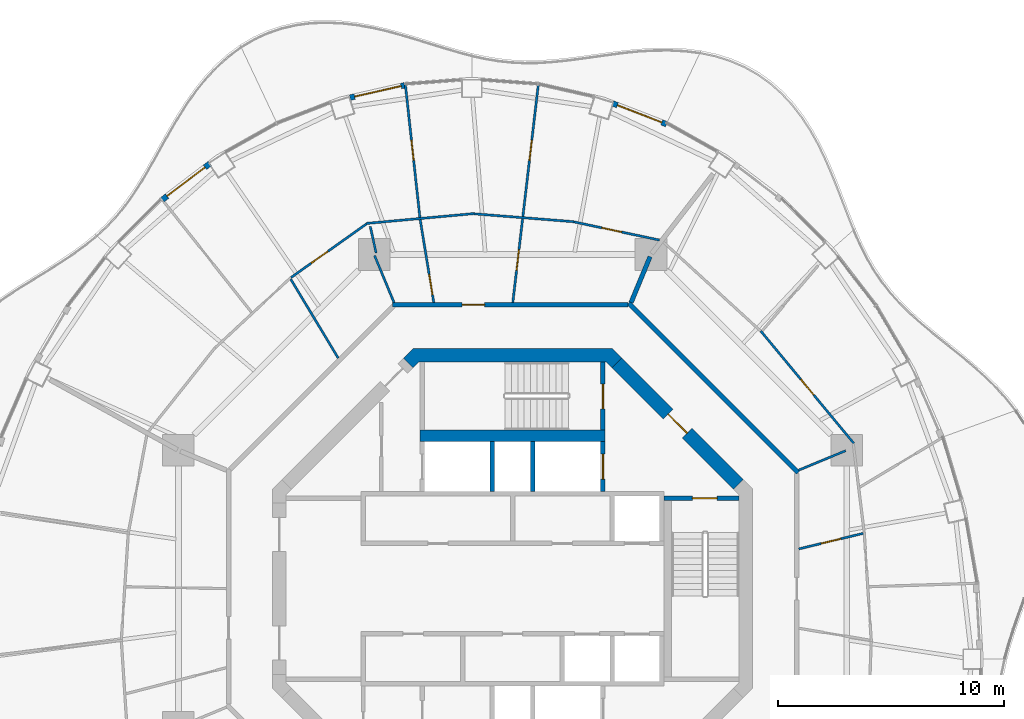
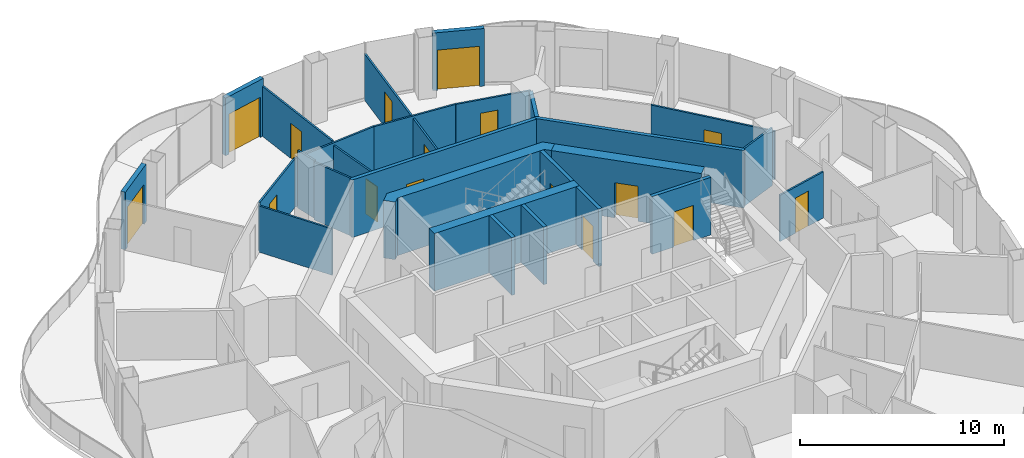
# One storey, part 13 of 17: 27 walls, 16 doors, 16 openings.
"""IFC4 building model written with IfcOpenShell, lengths in metres."""

import ifcopenshell
import ifcopenshell.guid

model = None  # the IFC model being written
_history = None  # IfcOwnerHistory: only IFC2X3 demands one
_inside = {}  # id of a spatial element -> (the spatial element, [elements in it])
_under = {}  # id of a project, library or spatial element -> (it, [spatial elements below it])
_declared = {}  # id of a project -> (the project, [libraries it declares])
_typed = {}  # id of a type object -> (the type object, [elements of that type])
_made_of = {}  # id of a material, layer set ... -> (it, [elements and type objects made of it])


def new_model(schema):
    """Start an empty IFC model of exactly this schema.

    Asked for "IFC4X3", IfcOpenShell would pick the latest addendum, in which some entities
    have other attributes; the version numbers below select the first issue.
    IFC2X3 requires an IfcOwnerHistory on every rooted entity: one is made here for all.
    """
    global model, _history
    if schema == "IFC4X3":
        model = ifcopenshell.file(schema_version=(4, 3, 0, 0))
    else:
        model = ifcopenshell.file(schema=schema)
    _inside.clear()
    _under.clear()
    _declared.clear()
    _typed.clear()
    _made_of.clear()
    _history = None
    if model.schema == "IFC2X3":
        org = make("IfcOrganization", Name="unknown")
        user = make(
            "IfcPersonAndOrganization",
            ThePerson=make("IfcPerson", FamilyName="unknown"),
            TheOrganization=org,
        )
        app = make(
            "IfcApplication",
            ApplicationDeveloper=org,
            Version="unknown",
            ApplicationFullName="unknown",
            ApplicationIdentifier="unknown",
        )
        _history = make(
            "IfcOwnerHistory",
            OwningUser=user,
            OwningApplication=app,
            ChangeAction="ADDED",
            CreationDate=0,
        )
    return model


def make(cls, **values):
    """One entity of the class cls with the attributes given. An attribute that is None is left unset."""
    return model.create_entity(
        cls, **{name: value for name, value in values.items() if value is not None}
    )


def rooted(cls, **values):
    """An entity with a GlobalId (a new one), such as an element, a storey or a relation."""
    return make(cls, GlobalId=ifcopenshell.guid.new(), OwnerHistory=_history, **values)


def si_unit(unit_type, name, prefix=None):
    """IfcSIUnit, for example si_unit("LENGTHUNIT", "METRE", prefix="MILLI")."""
    return make("IfcSIUnit", UnitType=unit_type, Prefix=prefix, Name=name)


def assignment(units):
    """IfcUnitAssignment: the units of a project."""
    return None if units is None else make("IfcUnitAssignment", Units=units)


def point(xyz):
    """IfcCartesianPoint."""
    return None if xyz is None else make("IfcCartesianPoint", Coordinates=xyz)


def direction(xyz):
    """IfcDirection."""
    return None if xyz is None else make("IfcDirection", DirectionRatios=xyz)


def frame(location, z_axis=None, x_axis=None):
    """IfcAxis2Placement3D, a coordinate frame: its origin and axes. An axis left out is left unset."""
    return make(
        "IfcAxis2Placement3D",
        Location=point(location),
        Axis=direction(z_axis),
        RefDirection=direction(x_axis),
    )


def frame_2d(location, x_axis=None):
    """IfcAxis2Placement2D, a coordinate frame in the plane: its origin and x axis."""
    return make(
        "IfcAxis2Placement2D", Location=point(location), RefDirection=direction(x_axis)
    )


def origin():
    """The frame at (0, 0, 0) with its axes left unset."""
    return frame((0.0, 0.0, 0.0))


def place(relative_to, where):
    """IfcLocalPlacement: puts the frame where relative to a parent placement (None: the world)."""
    return make(
        "IfcLocalPlacement", PlacementRelTo=relative_to, RelativePlacement=where
    )


def context(
    kind, dimensions, precision=None, world=None, true_north=None, identifier=None
):
    """IfcGeometricRepresentationContext, for example the 3D "Model" context."""
    return make(
        "IfcGeometricRepresentationContext",
        ContextIdentifier=identifier,
        ContextType=kind,
        CoordinateSpaceDimension=dimensions,
        Precision=precision,
        WorldCoordinateSystem=world,
        TrueNorth=true_north,
    )


def subcontext(parent, identifier, kind, view, scale=None):
    """IfcGeometricRepresentationSubContext, for example "Body" below "Model"."""
    return make(
        "IfcGeometricRepresentationSubContext",
        ContextIdentifier=identifier,
        ContextType=kind,
        ParentContext=parent,
        TargetScale=scale,
        TargetView=view,
    )


def project(units=None, contexts=None):
    """IfcProject with its units and contexts."""
    return rooted(
        "IfcProject",
        Name="project",
        RepresentationContexts=contexts,
        UnitsInContext=assignment(units),
    )


def spatial(cls, under=None, at=None, **own):
    """A site, building, storey or space (cls), placed at a placement, below another one or the project."""
    s = rooted(cls, ObjectPlacement=at, **own)
    if under is not None:
        _under.setdefault(under.id(), (under, []))[1].append(s)
    return s


def polyline(points):
    """IfcPolyline through the points."""
    return make("IfcPolyline", Points=[point(p) for p in points])


def profile(cls, at=None, kind="AREA", **sizes):
    """A parametric profile (cls). Its sizes go by their IFC names, for example OverallWidth=200.0."""
    return make(cls, ProfileType=kind, Position=at, **sizes)


def rectangle(**sizes):
    """IfcRectangleProfileDef."""
    return profile("IfcRectangleProfileDef", **sizes)


def outline(outer, holes=None, kind="AREA"):
    """IfcArbitraryClosedProfileDef: a profile drawn as a closed curve; with holes, ...WithVoids."""
    if holes is None:
        return make("IfcArbitraryClosedProfileDef", ProfileType=kind, OuterCurve=outer)
    return make(
        "IfcArbitraryProfileDefWithVoids",
        ProfileType=kind,
        OuterCurve=outer,
        InnerCurves=holes,
    )


def extrude(swept, where, along, depth):
    """IfcExtrudedAreaSolid: the profile swept, set in the frame where, extruded along a direction by depth."""
    return make(
        "IfcExtrudedAreaSolid",
        SweptArea=swept,
        Position=where,
        ExtrudedDirection=direction(along),
        Depth=depth,
    )


def shape(context_of_items, identifier, shape_type, items):
    """IfcShapeRepresentation: the items that make up one representation, for example the "Body"."""
    return make(
        "IfcShapeRepresentation",
        ContextOfItems=context_of_items,
        RepresentationIdentifier=identifier,
        RepresentationType=shape_type,
        Items=items,
    )


def material(Name=None, Category=None):
    """IfcMaterial."""
    return make("IfcMaterial", Name=Name, Category=Category)


def layer(
    of_material, thickness, ventilated=None, Name=None, Category=None, Priority=None
):
    """IfcMaterialLayer: one layer of a wall or slab, of a material (None: an air gap)."""
    return make(
        "IfcMaterialLayer",
        Material=of_material,
        LayerThickness=thickness,
        IsVentilated=ventilated,
        Name=Name,
        Category=Category,
        Priority=Priority,
    )


def layer_set(layers, Name=None):
    """IfcMaterialLayerSet."""
    return make("IfcMaterialLayerSet", MaterialLayers=layers, LayerSetName=Name)


def made_of(thing, what):
    """Note that an element or type object is made of a material, layer set ...; save() writes the relation."""
    if what is not None:
        _made_of.setdefault(what.id(), (what, []))[1].append(thing)
    return thing


def type_object(cls, material=None, **own):
    """A type object (cls), such as IfcWallType, which elements share."""
    return made_of(rooted(cls, **own), material)


def element(
    cls,
    number,
    at=None,
    inside=None,
    cuts=None,
    type_object=None,
    material=None,
    context=None,
    identifier="Body",
    shape_type=None,
    held_by="IfcProductDefinitionShape",
    body=None,
    shapes=None,
    **own,
):
    """One element of the class cls, such as IfcWall. Its Tag is "e" and its number.

    at: its placement. inside: the storey or other place that contains it. cuts: it is an
    opening in that element (IfcRelVoidsElement). A single representation is given by context,
    identifier, shape_type and body (its items); several are given by shapes. held_by: the class
    of the entity that holds the representations. save() writes the other relations.
    """
    e = rooted(cls, Tag="e%d" % number, ObjectPlacement=at, **own)
    if body is not None:
        shapes = [shape(context, identifier, shape_type, body)]
    if shapes is not None:
        e.Representation = make(held_by, Representations=shapes)
    if inside is not None:
        _inside.setdefault(inside.id(), (inside, []))[1].append(e)
    if cuts is not None:
        rooted(
            "IfcRelVoidsElement", RelatingBuildingElement=cuts, RelatedOpeningElement=e
        )
    if type_object is not None:
        _typed.setdefault(type_object.id(), (type_object, []))[1].append(e)
    return made_of(e, material)


def fill(opening, filler):
    """IfcRelFillsElement: the door or window that sits in an opening."""
    return rooted(
        "IfcRelFillsElement",
        RelatingOpeningElement=opening,
        RelatedBuildingElement=filler,
    )


def aggregate(whole, parts):
    """IfcRelAggregates: a whole, such as a stair, and the parts it consists of."""
    return rooted("IfcRelAggregates", RelatingObject=whole, RelatedObjects=parts)


def save(model, path):
    """Write the relations noted so far, then the file.

    IfcRelAggregates (storeys below a building ...), IfcRelContainedInSpatialStructure (elements
    in a storey), IfcRelDefinesByType, IfcRelAssociatesMaterial and IfcRelDeclares: one each for
    every whole, place, type object, material and project.
    """
    for whole, parts in _under.values():
        aggregate(whole, parts)
    for where, things in _inside.values():
        rooted(
            "IfcRelContainedInSpatialStructure",
            RelatedElements=things,
            RelatingStructure=where,
        )
    for kind, things in _typed.values():
        rooted("IfcRelDefinesByType", RelatedObjects=things, RelatingType=kind)
    for what, things in _made_of.values():
        rooted("IfcRelAssociatesMaterial", RelatedObjects=things, RelatingMaterial=what)
    for by, libraries in _declared.values():
        rooted("IfcRelDeclares", RelatingContext=by, RelatedDefinitions=libraries)
    model.write(path)


model = new_model("IFC4")

# Units and contexts
model_context = context("Model", 3, precision=1e-05, world=origin(), true_north=direction((0.0, 1.0)))
body_context = subcontext(model_context, "Body", "Model", "MODEL_VIEW")
ifc_project = project(units=[si_unit("LENGTHUNIT", "METRE"), si_unit("AREAUNIT", "SQUARE_METRE"), si_unit("VOLUMEUNIT", "CUBIC_METRE"), si_unit("PLANEANGLEUNIT", "RADIAN"), si_unit("MASSUNIT", "GRAM", prefix="KILO")], contexts=[model_context])

# Site, building, storey
site_placement = place(None, origin())
site = spatial("IfcSite", under=ifc_project, at=site_placement, CompositionType="ELEMENT")
building_placement = place(site_placement, origin())
building = spatial("IfcBuilding", under=site, at=building_placement, Name="Nagisa Residences", CompositionType="ELEMENT")
storey_placement = place(building_placement, frame((0.0, 0.0, 262.199951171875)))
storey = spatial("IfcBuildingStorey", under=building, at=storey_placement, Name="L66", CompositionType="ELEMENT", Elevation=262.199951171875)

# Walls
ifc_material_1 = material(Name="Gypsum board on steel studs", Category="steel")
ifc_layer_1 = layer(ifc_material_1, 0.199951171875)
ifc_layer_set_1 = layer_set([ifc_layer_1], Name="Apartment compartment wall EI60 200")
wall_type_1 = type_object("IfcWallType", Name="Apartment compartment wall EI60 200", PredefinedType="PARTITIONING", material=ifc_layer_set_1)
wall_1_placement = place(storey_placement, frame((5.24267578125, 12.6572265625, 0.0), z_axis=(0.0, 0.0, 1.0), x_axis=(0.382691608661, 0.923876145736, 0.0)))
element("IfcWall", 1, at=wall_1_placement, inside=storey, type_object=wall_type_1, Name="wall:L66:u00", PredefinedType="PARTITIONING", context=body_context, shape_type="SweptSolid", body=[
    extrude(rectangle(XDim=2.19970703125, YDim=0.199951171875, at=frame_2d((1.099853515625, 0.0))), origin(), (0.0, 0.0, 1.0), 3.43994140625),
])
ifc_material_2 = material(Name="Gypsum board on steel studs", Category="steel")
ifc_layer_2 = layer(ifc_material_2, 0.199951171875)
ifc_layer_set_2 = layer_set([ifc_layer_2], Name="Apartment entry wall EI60 200")
wall_type_2 = type_object("IfcWallType", Name="Apartment entry wall EI60 200", PredefinedType="PARTITIONING", material=ifc_layer_set_2)
wall_2_placement = place(storey_placement, frame((12.635498046875, 5.1337890625, 0.0), z_axis=(0.0, 0.0, 1.0), x_axis=(-0.707106781187, 0.707106781187, 0.0)))
element("IfcWall", 2, at=wall_2_placement, inside=storey, type_object=wall_type_2, Name="wall:L66:u09", PredefinedType="PARTITIONING", context=body_context, shape_type="SweptSolid", body=[
    extrude(rectangle(XDim=10.609130859375, YDim=0.199951171875, at=frame_2d((5.3046875, 0.0))), origin(), (0.0, 0.0, 1.0), 3.43994140625),
])

# Wall, opening, door
wall_3_placement = place(storey_placement, frame((5.1044921875, 12.564697265625, 0.0), z_axis=(0.0, 0.0, 1.0), x_axis=(-1.0, 0.0, 0.0)))
wall_3 = element("IfcWall", 3, at=wall_3_placement, inside=storey, type_object=wall_type_2, Name="wall:L66:u10", PredefinedType="PARTITIONING", context=body_context, shape_type="SweptSolid", body=[
    extrude(rectangle(XDim=10.408935546875, YDim=0.199951171875, at=frame_2d((5.20458984375, 0.0))), origin(), (0.0, 0.0, 1.0), 3.43994140625),
])
opening_1_placement = place(wall_3_placement, frame((6.33935546875, 0.0, 0.0)))
opening_1 = element("IfcOpeningElement", 4, at=opening_1_placement, cuts=wall_3, Name="Opening L66-U09", PredefinedType="OPENING", context=body_context, shape_type="SweptSolid", body=[
    extrude(rectangle(XDim=1.0, YDim=2.10009765625, at=frame_2d((0.5, 1.050048828125))), frame((0.0, 0.10986328125, 0.0), z_axis=(0.0, -1.0, 0.0), x_axis=(1.0, 0.0, 0.0)), (0.0, 0.0, 1.0), 0.219970703125),
])
ifc_material_3 = material(Name="Timber fire door set", Category="wood")
door_type_1 = type_object("IfcDoorType", Name="Apartment entry door FD30S 1000x2100", OperationType="NOTDEFINED", PredefinedType="DOOR", material=ifc_material_3)
door_1_placement = place(opening_1_placement, frame((1.0, 0.0, 0.0), x_axis=(-1.0, 0.0, 0.0)))
door_1 = element("IfcDoor", 5, at=door_1_placement, inside=storey, type_object=door_type_1, Name="Entry door, Apartment 66B", OperationType="SINGLE_SWING_RIGHT", OverallHeight=2.10009765625, OverallWidth=1.0, PredefinedType="DOOR", context=body_context, shape_type="SweptSolid", body=[
    extrude(rectangle(XDim=1.0, YDim=2.10009765625, at=frame_2d((0.5, 1.050048828125))), frame((0.0, 0.02490234375, 0.0), z_axis=(0.0, -1.0, 0.0), x_axis=(1.0, 0.0, 0.0)), (0.0, 0.0, 1.0), 0.050048828125),
])
fill(opening_1, door_1)

ifc_material_4 = material(Name="Gypsum board on steel studs", Category="steel")
ifc_layer_3 = layer(ifc_material_4, 0.10009765625)
ifc_layer_set_3 = layer_set([ifc_layer_3], Name="Apartment partition 100")
wall_type_3 = type_object("IfcWallType", Name="Apartment partition 100", PredefinedType="PARTITIONING", material=ifc_layer_set_3)
wall_4_placement = place(storey_placement, frame((12.661865234375, 1.75830078125, 0.0), z_axis=(0.0, 0.0, 1.0), x_axis=(0.972004827836, 0.234960879007, 0.0)))
wall_4 = element("IfcWall", 6, at=wall_4_placement, inside=storey, type_object=wall_type_3, Name="wall:L66:u20", PredefinedType="PARTITIONING", context=body_context, shape_type="SweptSolid", body=[
    extrude(rectangle(XDim=2.93017578125, YDim=0.10009765625, at=frame_2d((1.465087890625, 0.0))), origin(), (0.0, 0.0, 1.0), 2.761962890625),
])
opening_2_placement = place(wall_4_placement, frame((1.014892578125, 0.0, 0.0)))
opening_2 = element("IfcOpeningElement", 7, at=opening_2_placement, cuts=wall_4, Name="Opening L66-U03", PredefinedType="OPENING", context=body_context, shape_type="SweptSolid", body=[
    extrude(rectangle(XDim=0.89990234375, YDim=2.10009765625, at=frame_2d((0.449951171875, 1.050048828125))), frame((0.0, 0.06005859375, 0.0), z_axis=(0.0, -1.0, 0.0), x_axis=(1.0, 0.0, 0.0)), (0.0, 0.0, 1.0), 0.1201171875),
])
ifc_material_5 = material(Name="Timber door set", Category="wood")
door_type_2 = type_object("IfcDoorType", Name="Apartment door 900x2100", OperationType="NOTDEFINED", PredefinedType="DOOR", material=ifc_material_5)
door_2_placement = place(opening_2_placement, origin())
door_2 = element("IfcDoor", 8, at=door_2_placement, inside=storey, type_object=door_type_2, Name="Door to family bathroom, Apartment 66A", OperationType="SINGLE_SWING_LEFT", OverallHeight=2.10009765625, OverallWidth=0.89990234375, PredefinedType="DOOR", context=body_context, shape_type="SweptSolid", body=[
    extrude(rectangle(XDim=0.89990234375, YDim=2.10009765625, at=frame_2d((0.449951171875, 1.050048828125))), frame((0.0, 0.02490234375, 0.0), z_axis=(0.0, -1.0, 0.0), x_axis=(1.0, 0.0, 0.0)), (0.0, 0.0, 1.0), 0.050048828125),
])
fill(opening_2, door_2)

# Wall
wall_5_placement = place(storey_placement, frame((12.6572265625, 5.24267578125, 0.0), z_axis=(0.0, 0.0, 1.0), x_axis=(0.923864733477, 0.382719158442, 0.0)))
element("IfcWall", 9, at=wall_5_placement, inside=storey, type_object=wall_type_3, Name="wall:L66:u23", PredefinedType="PARTITIONING", context=body_context, shape_type="SweptSolid", body=[
    extrude(rectangle(XDim=2.25, YDim=0.10009765625, at=frame_2d((1.125, 0.0))), origin(), (0.0, 0.0, 1.0), 3.43994140625),
])

# Wall, opening, door
wall_6_placement = place(storey_placement, frame((15.09814453125, 6.427490234375, 0.0), z_axis=(0.0, 0.0, 1.0), x_axis=(-0.637936555536, 0.770088924158, 0.0)))
wall_6 = element("IfcWall", 10, at=wall_6_placement, inside=storey, type_object=wall_type_3, Name="wall:L66:u24", PredefinedType="PARTITIONING", context=body_context, shape_type="SweptSolid", body=[
    extrude(rectangle(XDim=6.46044921875, YDim=0.10009765625, at=frame_2d((3.230224609375, 0.0))), origin(), (0.0, 0.0, 1.0), 2.905029296875),
])
opening_3_placement = place(wall_6_placement, frame((2.7802734375, 0.0, 0.0)))
opening_3 = element("IfcOpeningElement", 11, at=opening_3_placement, cuts=wall_6, Name="Opening L66-U08", PredefinedType="OPENING", context=body_context, shape_type="SweptSolid", body=[
    extrude(rectangle(XDim=0.89990234375, YDim=2.10009765625, at=frame_2d((0.449951171875, 1.050048828125))), frame((0.0, 0.06005859375, 0.0), z_axis=(0.0, -1.0, 0.0), x_axis=(1.0, 0.0, 0.0)), (0.0, 0.0, 1.0), 0.1201171875),
])
door_3_placement = place(opening_3_placement, origin())
door_3 = element("IfcDoor", 12, at=door_3_placement, inside=storey, type_object=door_type_2, Name="Door to store, Apartment 66A", OperationType="SINGLE_SWING_RIGHT", OverallHeight=2.10009765625, OverallWidth=0.89990234375, PredefinedType="DOOR", context=body_context, shape_type="SweptSolid", body=[
    extrude(rectangle(XDim=0.89990234375, YDim=2.10009765625, at=frame_2d((0.449951171875, 1.050048828125))), frame((0.0, 0.02490234375, 0.0), z_axis=(0.0, -1.0, 0.0), x_axis=(1.0, 0.0, 0.0)), (0.0, 0.0, 1.0), 0.050048828125),
])
fill(opening_3, door_3)

wall_7_placement = place(storey_placement, frame((6.50048828125, 15.41943359375, 0.0), z_axis=(0.0, 0.0, 1.0), x_axis=(-0.978053492557, 0.208353943321, 0.0)))
wall_7 = element("IfcWall", 13, at=wall_7_placement, inside=storey, type_object=wall_type_3, Name="wall:L66:u27", PredefinedType="PARTITIONING", context=body_context, shape_type="SweptSolid", body=[
    extrude(rectangle(XDim=3.873779296875, YDim=0.10009765625, at=frame_2d((1.93701171875, 0.0))), origin(), (0.0, 0.0, 1.0), 2.905029296875),
])
opening_4_placement = place(wall_7_placement, frame((1.71435546875, 0.0, 0.0)))
opening_4 = element("IfcOpeningElement", 14, at=opening_4_placement, cuts=wall_7, Name="Opening L66-U12", PredefinedType="OPENING", context=body_context, shape_type="SweptSolid", body=[
    extrude(rectangle(XDim=0.89990234375, YDim=2.10009765625, at=frame_2d((0.449951171875, 1.050048828125))), frame((0.0, 0.06005859375, 0.0), z_axis=(0.0, -1.0, 0.0), x_axis=(1.0, 0.0, 0.0)), (0.0, 0.0, 1.0), 0.1201171875),
])
door_4_placement = place(opening_4_placement, frame((0.89990234375, 0.0, 0.0), x_axis=(-1.0, 0.0, 0.0)))
door_4 = element("IfcDoor", 15, at=door_4_placement, inside=storey, type_object=door_type_2, Name="Door to kitchen, Apartment 66B", OperationType="SINGLE_SWING_LEFT", OverallHeight=2.10009765625, OverallWidth=0.89990234375, PredefinedType="DOOR", context=body_context, shape_type="SweptSolid", body=[
    extrude(rectangle(XDim=0.89990234375, YDim=2.10009765625, at=frame_2d((0.449951171875, 1.050048828125))), frame((0.0, 0.02490234375, 0.0), z_axis=(0.0, -1.0, 0.0), x_axis=(1.0, 0.0, 0.0)), (0.0, 0.0, 1.0), 0.050048828125),
])
fill(opening_4, door_4)

# Wall
wall_8_placement = place(storey_placement, frame((2.712646484375, 16.23291015625, 0.0), z_axis=(0.0, 0.0, 1.0), x_axis=(-0.996870142942, 0.079056423588, 0.0)))
element("IfcWall", 16, at=wall_8_placement, inside=storey, type_object=wall_type_3, Name="wall:L66:u28", PredefinedType="PARTITIONING", context=body_context, shape_type="SweptSolid", body=[
    extrude(rectangle(XDim=4.437744140625, YDim=0.10009765625, at=frame_2d((2.21875, 0.0))), origin(), (0.0, 0.0, 1.0), 2.905029296875),
])

# Wall, openings, doors
wall_9_placement = place(storey_placement, frame((0.01171875, 12.6640625, 0.0), z_axis=(0.0, 0.0, 1.0), x_axis=(0.11636251357, 0.993206808996, 0.0)))
wall_9 = element("IfcWall", 17, at=wall_9_placement, inside=storey, type_object=wall_type_3, Name="wall:L66:u29", PredefinedType="PARTITIONING", context=body_context, shape_type="SweptSolid", body=[
    extrude(rectangle(XDim=9.7646484375, YDim=0.10009765625, at=frame_2d((4.88232421875, 0.0))), origin(), (0.0, 0.0, 1.0), 2.761962890625),
])
opening_5_placement = place(wall_9_placement, frame((1.43701171875, 0.0, 0.0)))
opening_5 = element("IfcOpeningElement", 18, at=opening_5_placement, cuts=wall_9, Name="Opening L66-U10", PredefinedType="OPENING", context=body_context, shape_type="SweptSolid", body=[
    extrude(rectangle(XDim=0.89990234375, YDim=2.10009765625, at=frame_2d((0.449951171875, 1.050048828125))), frame((0.0, 0.06005859375, 0.0), z_axis=(0.0, -1.0, 0.0), x_axis=(1.0, 0.0, 0.0)), (0.0, 0.0, 1.0), 0.1201171875),
])
opening_6_placement = place(wall_9_placement, frame((6.3193359375, 0.0, 0.0)))
opening_6 = element("IfcOpeningElement", 19, at=opening_6_placement, cuts=wall_9, Name="Opening L66-U13", PredefinedType="OPENING", context=body_context, shape_type="SweptSolid", body=[
    extrude(rectangle(XDim=0.89990234375, YDim=2.10009765625, at=frame_2d((0.449951171875, 1.050048828125))), frame((0.0, 0.06005859375, 0.0), z_axis=(0.0, -1.0, 0.0), x_axis=(1.0, 0.0, 0.0)), (0.0, 0.0, 1.0), 0.1201171875),
])
door_5_placement = place(opening_5_placement, frame((0.89990234375, 0.0, 0.0), x_axis=(-1.0, 0.0, 0.0)))
door_5 = element("IfcDoor", 20, at=door_5_placement, inside=storey, type_object=door_type_2, Name="Door to store, Apartment 66B", OperationType="SINGLE_SWING_LEFT", OverallHeight=2.10009765625, OverallWidth=0.89990234375, PredefinedType="DOOR", context=body_context, shape_type="SweptSolid", body=[
    extrude(rectangle(XDim=0.89990234375, YDim=2.10009765625, at=frame_2d((0.449951171875, 1.050048828125))), frame((0.0, 0.02490234375, 0.0), z_axis=(0.0, -1.0, 0.0), x_axis=(1.0, 0.0, 0.0)), (0.0, 0.0, 1.0), 0.050048828125),
])
fill(opening_5, door_5)
door_6_placement = place(opening_6_placement, origin())
door_6 = element("IfcDoor", 21, at=door_6_placement, inside=storey, type_object=door_type_2, Name="Door to bedroom, Apartment 66B", OperationType="SINGLE_SWING_LEFT", OverallHeight=2.10009765625, OverallWidth=0.89990234375, PredefinedType="DOOR", context=body_context, shape_type="SweptSolid", body=[
    extrude(rectangle(XDim=0.89990234375, YDim=2.10009765625, at=frame_2d((0.449951171875, 1.050048828125))), frame((0.0, 0.02490234375, 0.0), z_axis=(0.0, -1.0, 0.0), x_axis=(1.0, 0.0, 0.0)), (0.0, 0.0, 1.0), 0.050048828125),
])
fill(opening_6, door_6)

# Wall
wall_10_placement = place(storey_placement, frame((-1.711181640625, 16.59228515625, 0.0), z_axis=(0.0, 0.0, 1.0), x_axis=(-0.995843707015, -0.091078599017, 0.0)))
element("IfcWall", 22, at=wall_10_placement, inside=storey, type_object=wall_type_3, Name="wall:L66:u30", PredefinedType="PARTITIONING", context=body_context, shape_type="SweptSolid", body=[
    extrude(rectangle(XDim=4.78466796875, YDim=0.10009765625, at=frame_2d((2.392333984375, 0.0))), origin(), (0.0, 0.0, 1.0), 2.905029296875),
])

# Wall, opening, door
wall_11_placement = place(storey_placement, frame((-3.48583984375, 12.663330078125, 0.0), z_axis=(0.0, 0.0, 1.0), x_axis=(-0.161602751674, 0.986855891532, 0.0)))
wall_11 = element("IfcWall", 23, at=wall_11_placement, inside=storey, type_object=wall_type_3, Name="wall:L66:u31", PredefinedType="PARTITIONING", context=body_context, shape_type="SweptSolid", body=[
    extrude(rectangle(XDim=3.71044921875, YDim=0.10009765625, at=frame_2d((1.855224609375, 0.0))), origin(), (0.0, 0.0, 1.0), 2.761962890625),
])
opening_7_placement = place(wall_11_placement, frame((0.35009765625, 0.0, 0.0)))
opening_7 = element("IfcOpeningElement", 24, at=opening_7_placement, cuts=wall_11, Name="Opening L66-U11", PredefinedType="OPENING", context=body_context, shape_type="SweptSolid", body=[
    extrude(rectangle(XDim=0.89990234375, YDim=2.10009765625, at=frame_2d((0.449951171875, 1.050048828125))), frame((0.0, 0.06005859375, 0.0), z_axis=(0.0, -1.0, 0.0), x_axis=(1.0, 0.0, 0.0)), (0.0, 0.0, 1.0), 0.1201171875),
])
door_7_placement = place(opening_7_placement, origin())
door_7 = element("IfcDoor", 25, at=door_7_placement, inside=storey, type_object=door_type_2, Name="Door to family bathroom, Apartment 66B", OperationType="SINGLE_SWING_LEFT", OverallHeight=2.10009765625, OverallWidth=0.89990234375, PredefinedType="DOOR", context=body_context, shape_type="SweptSolid", body=[
    extrude(rectangle(XDim=0.89990234375, YDim=2.10009765625, at=frame_2d((0.449951171875, 1.050048828125))), frame((0.0, 0.02490234375, 0.0), z_axis=(0.0, -1.0, 0.0), x_axis=(1.0, 0.0, 0.0)), (0.0, 0.0, 1.0), 0.050048828125),
])
fill(opening_7, door_7)

wall_12_placement = place(storey_placement, frame((-4.098876953125, 16.424072265625, 0.0), z_axis=(0.0, 0.0, 1.0), x_axis=(-0.10867295252, 0.99407755703, 0.0)))
wall_12 = element("IfcWall", 26, at=wall_12_placement, inside=storey, type_object=wall_type_3, Name="wall:L66:u32", PredefinedType="PARTITIONING", context=body_context, shape_type="SweptSolid", body=[
    extrude(rectangle(XDim=5.9736328125, YDim=0.10009765625, at=frame_2d((2.98681640625, 0.0))), origin(), (0.0, 0.0, 1.0), 2.983154296875),
])
opening_8_placement = place(wall_12_placement, frame((2.536865234375, 0.0, 0.0)))
opening_8 = element("IfcOpeningElement", 27, at=opening_8_placement, cuts=wall_12, Name="Opening L66-U14", PredefinedType="OPENING", context=body_context, shape_type="SweptSolid", body=[
    extrude(rectangle(XDim=0.89990234375, YDim=2.10009765625, at=frame_2d((0.449951171875, 1.050048828125))), frame((0.0, 0.06005859375, 0.0), z_axis=(0.0, -1.0, 0.0), x_axis=(1.0, 0.0, 0.0)), (0.0, 0.0, 1.0), 0.1201171875),
])
door_8_placement = place(opening_8_placement, origin())
door_8 = element("IfcDoor", 28, at=door_8_placement, inside=storey, type_object=door_type_2, Name="Door to living room, Apartment 66B", OperationType="SINGLE_SWING_RIGHT", OverallHeight=2.10009765625, OverallWidth=0.89990234375, PredefinedType="DOOR", context=body_context, shape_type="SweptSolid", body=[
    extrude(rectangle(XDim=0.89990234375, YDim=2.10009765625, at=frame_2d((0.449951171875, 1.050048828125))), frame((0.0, 0.02490234375, 0.0), z_axis=(0.0, -1.0, 0.0), x_axis=(1.0, 0.0, 0.0)), (0.0, 0.0, 1.0), 0.050048828125),
])
fill(opening_8, door_8)

# Wall
wall_13_placement = place(storey_placement, frame((-5.24267578125, 12.6572265625, 0.0), z_axis=(0.0, 0.0, 1.0), x_axis=(-0.382719158442, 0.923864733477, 0.0)))
element("IfcWall", 29, at=wall_13_placement, inside=storey, type_object=wall_type_3, Name="wall:L66:u33", PredefinedType="PARTITIONING", context=body_context, shape_type="SweptSolid", body=[
    extrude(rectangle(XDim=2.25, YDim=0.10009765625, at=frame_2d((1.125, 0.0))), origin(), (0.0, 0.0, 1.0), 3.43994140625),
])

# Wall, opening, door
wall_14_placement = place(storey_placement, frame((-6.467041015625, 16.132080078125, 0.0), z_axis=(0.0, 0.0, 1.0), x_axis=(-0.815192286069, -0.579190414919, 0.0)))
wall_14 = element("IfcWall", 30, at=wall_14_placement, inside=storey, type_object=wall_type_3, Name="wall:L66:u34", PredefinedType="PARTITIONING", context=body_context, shape_type="SweptSolid", body=[
    extrude(rectangle(XDim=4.086181640625, YDim=0.10009765625, at=frame_2d((2.04296875, 0.0))), origin(), (0.0, 0.0, 1.0), 2.905029296875),
])
opening_9_placement = place(wall_14_placement, frame((2.09033203125, 0.0, 0.0)))
opening_9 = element("IfcOpeningElement", 31, at=opening_9_placement, cuts=wall_14, Name="Opening L66-U16", PredefinedType="OPENING", context=body_context, shape_type="SweptSolid", body=[
    extrude(rectangle(XDim=0.89990234375, YDim=2.10009765625, at=frame_2d((0.449951171875, 1.050048828125))), frame((0.0, 0.06005859375, 0.0), z_axis=(0.0, -1.0, 0.0), x_axis=(1.0, 0.0, 0.0)), (0.0, 0.0, 1.0), 0.1201171875),
])
door_9_placement = place(opening_9_placement, origin())
door_9 = element("IfcDoor", 32, at=door_9_placement, inside=storey, type_object=door_type_2, Name="Door to store, Apartment 66B", OperationType="SINGLE_SWING_RIGHT", OverallHeight=2.10009765625, OverallWidth=0.89990234375, PredefinedType="DOOR", context=body_context, shape_type="SweptSolid", body=[
    extrude(rectangle(XDim=0.89990234375, YDim=2.10009765625, at=frame_2d((0.449951171875, 1.050048828125))), frame((0.0, 0.02490234375, 0.0), z_axis=(0.0, -1.0, 0.0), x_axis=(1.0, 0.0, 0.0)), (0.0, 0.0, 1.0), 0.050048828125),
])
fill(opening_9, door_9)

# Walls
wall_15_placement = place(storey_placement, frame((-7.70947265625, 10.197021484375, 0.0), z_axis=(0.0, 0.0, 1.0), x_axis=(-0.515524871668, 0.856874615502, 0.0)))
element("IfcWall", 33, at=wall_15_placement, inside=storey, type_object=wall_type_3, Name="wall:L66:u35", PredefinedType="PARTITIONING", context=body_context, shape_type="SweptSolid", body=[
    extrude(rectangle(XDim=4.080322265625, YDim=0.10009765625, at=frame_2d((2.0400390625, 0.0))), origin(), (0.0, 0.0, 1.0), 2.761962890625),
])
wall_16_placement = place(storey_placement, frame((-6.035888671875, 14.8525390625, 0.0), z_axis=(0.0, 0.0, 1.0), x_axis=(-0.215009518078, 0.976611953202, 0.0)))
element("IfcWall", 34, at=wall_16_placement, inside=storey, type_object=wall_type_3, Name="wall:L66:u69", PredefinedType="PARTITIONING", context=body_context, shape_type="SweptSolid", body=[
    extrude(rectangle(XDim=1.197998046875, YDim=0.10009765625, at=frame_2d((0.59912109375, 0.0))), origin(), (0.0, 0.0, 1.0), 3.43994140625),
])

# Wall, opening, door
ifc_material_6 = material(Name="Precast concrete C40/50", Category="concrete")
ifc_layer_4 = layer(ifc_material_6, 0.25)
ifc_layer_set_4 = layer_set([ifc_layer_4], Name="BALCONY DOOR WALL 250")
wall_type_4 = type_object("IfcWallType", Name="BALCONY DOOR WALL 250", PredefinedType="SOLIDWALL", material=ifc_layer_set_4)
wall_17_placement = place(storey_placement, frame((4.42919921875, 21.466552734375, 0.0), z_axis=(0.0, 0.0, 1.0), x_axis=(0.93282223778, -0.360336887792, 0.0)))
wall_17 = element("IfcWall", 35, at=wall_17_placement, inside=storey, type_object=wall_type_4, Name="wall:L66:bay09", PredefinedType="SOLIDWALL", context=body_context, shape_type="SweptSolid", body=[
    extrude(rectangle(XDim=2.5537109375, YDim=0.25, at=frame_2d((1.27685546875, 0.0))), origin(), (0.0, 0.0, 1.0), 3.43994140625),
])
opening_10_placement = place(wall_17_placement, frame((0.226806640625, 0.0, 0.0)))
opening_10 = element("IfcOpeningElement", 36, at=opening_10_placement, cuts=wall_17, Name="Opening BD-L66-04", PredefinedType="OPENING", context=body_context, shape_type="SweptSolid", body=[
    extrude(rectangle(XDim=2.10009765625, YDim=2.39990234375, at=frame_2d((1.050048828125, 1.199951171875))), frame((0.0, 0.135009765625, 0.0), z_axis=(0.0, -1.0, 0.0), x_axis=(1.0, 0.0, 0.0)), (0.0, 0.0, 1.0), 0.27001953125),
])
ifc_material_7 = material(Name="Aluminium and clear glass", Category="aluminium")
door_type_3 = type_object("IfcDoorType", Name="BALCONY SLIDING DOOR 2100x2400", OperationType="SLIDING_TO_LEFT", PredefinedType="DOOR", material=ifc_material_7)
door_10_placement = place(opening_10_placement, origin())
door_10 = element("IfcDoor", 37, at=door_10_placement, inside=storey, type_object=door_type_3, Name="door:L66:bay09", OperationType="SLIDING_TO_LEFT", OverallHeight=2.39990234375, OverallWidth=2.10009765625, PredefinedType="DOOR", context=body_context, shape_type="SweptSolid", body=[
    extrude(rectangle(XDim=2.10009765625, YDim=2.39990234375, at=frame_2d((1.050048828125, 1.199951171875))), frame((0.0, 0.02490234375, 0.0), z_axis=(0.0, -1.0, 0.0), x_axis=(1.0, 0.0, 0.0)), (0.0, 0.0, 1.0), 0.050048828125),
])
fill(opening_10, door_10)

wall_18_placement = place(storey_placement, frame((-7.18798828125, 21.72265625, 0.0), z_axis=(0.0, 0.0, 1.0), x_axis=(0.975319584032, 0.220797891756, 0.0)))
wall_18 = element("IfcWall", 38, at=wall_18_placement, inside=storey, type_object=wall_type_4, Name="wall:L66:bay13", PredefinedType="SOLIDWALL", context=body_context, shape_type="SweptSolid", body=[
    extrude(rectangle(XDim=2.525390625, YDim=0.25, at=frame_2d((1.2626953125, 0.0))), origin(), (0.0, 0.0, 1.0), 3.43994140625),
])
opening_11_placement = place(wall_18_placement, frame((0.212646484375, 0.0, 0.0)))
opening_11 = element("IfcOpeningElement", 39, at=opening_11_placement, cuts=wall_18, Name="Opening BD-L66-05", PredefinedType="OPENING", context=body_context, shape_type="SweptSolid", body=[
    extrude(rectangle(XDim=2.10009765625, YDim=2.39990234375, at=frame_2d((1.050048828125, 1.199951171875))), frame((0.0, 0.135009765625, 0.0), z_axis=(0.0, -1.0, 0.0), x_axis=(1.0, 0.0, 0.0)), (0.0, 0.0, 1.0), 0.27001953125),
])
door_11_placement = place(opening_11_placement, origin())
door_11 = element("IfcDoor", 40, at=door_11_placement, inside=storey, type_object=door_type_3, Name="door:L66:bay13", OperationType="SLIDING_TO_LEFT", OverallHeight=2.39990234375, OverallWidth=2.10009765625, PredefinedType="DOOR", context=body_context, shape_type="SweptSolid", body=[
    extrude(rectangle(XDim=2.10009765625, YDim=2.39990234375, at=frame_2d((1.050048828125, 1.199951171875))), frame((0.0, 0.02490234375, 0.0), z_axis=(0.0, -1.0, 0.0), x_axis=(1.0, 0.0, 0.0)), (0.0, 0.0, 1.0), 0.050048828125),
])
fill(opening_11, door_11)

wall_19_placement = place(storey_placement, frame((-15.49462890625, 17.20361328125, 0.0), z_axis=(0.0, 0.0, 1.0), x_axis=(0.796010739377, 0.605282498339, 0.0)))
wall_19 = element("IfcWall", 41, at=wall_19_placement, inside=storey, type_object=wall_type_4, Name="wall:L66:bay16", PredefinedType="SOLIDWALL", context=body_context, shape_type="SweptSolid", body=[
    extrude(rectangle(XDim=2.640625, YDim=0.25, at=frame_2d((1.3203125, 0.0))), origin(), (0.0, 0.0, 1.0), 3.43994140625),
])
opening_12_placement = place(wall_19_placement, frame((0.270263671875, 0.0, 0.0)))
opening_12 = element("IfcOpeningElement", 42, at=opening_12_placement, cuts=wall_19, Name="Opening BD-L66-06", PredefinedType="OPENING", context=body_context, shape_type="SweptSolid", body=[
    extrude(rectangle(XDim=2.10009765625, YDim=2.39990234375, at=frame_2d((1.050048828125, 1.199951171875))), frame((0.0, 0.135009765625, 0.0), z_axis=(0.0, -1.0, 0.0), x_axis=(1.0, 0.0, 0.0)), (0.0, 0.0, 1.0), 0.27001953125),
])
door_12_placement = place(opening_12_placement, origin())
door_12 = element("IfcDoor", 43, at=door_12_placement, inside=storey, type_object=door_type_3, Name="door:L66:bay16", OperationType="SLIDING_TO_LEFT", OverallHeight=2.39990234375, OverallWidth=2.10009765625, PredefinedType="DOOR", context=body_context, shape_type="SweptSolid", body=[
    extrude(rectangle(XDim=2.10009765625, YDim=2.39990234375, at=frame_2d((1.050048828125, 1.199951171875))), frame((0.0, 0.02490234375, 0.0), z_axis=(0.0, -1.0, 0.0), x_axis=(1.0, 0.0, 0.0)), (0.0, 0.0, 1.0), 0.050048828125),
])
fill(opening_12, door_12)

ifc_material_8 = material(Name="Concrete C60", Category="concrete")
ifc_layer_5 = layer(ifc_material_8, 0.60009765625)
ifc_layer_set_5 = layer_set([ifc_layer_5], Name="Core shear wall 600")
wall_type_5 = type_object("IfcWallType", Name="Core shear wall 600", PredefinedType="SHEAR", material=ifc_layer_set_5)
wall_20_placement = place(storey_placement, frame((9.98828125, 4.613037109375, 0.0), z_axis=(0.0, 0.0, 1.0), x_axis=(-0.707106781187, 0.707106781187, 0.0)))
wall_20 = element("IfcWall", 44, at=wall_20_placement, inside=storey, type_object=wall_type_5, Name="wall:L66:core:flat1", PredefinedType="SHEAR", context=body_context, shape_type="SweptSolid", body=[
    extrude(rectangle(XDim=7.601806640625, YDim=0.60009765625, at=frame_2d((3.80078125, 0.0))), origin(), (0.0, 0.0, 1.0), 3.43994140625),
])
opening_13_placement = place(wall_20_placement, frame((3.200927734375, 0.0, 0.0)))
opening_13 = element("IfcOpeningElement", 45, at=opening_13_placement, cuts=wall_20, Name="Opening L66-C17", PredefinedType="OPENING", context=body_context, shape_type="SweptSolid", body=[
    extrude(rectangle(XDim=1.199951171875, YDim=2.10009765625, at=frame_2d((0.60009765625, 1.050048828125))), frame((0.0, 0.31005859375, 0.0), z_axis=(0.0, -1.0, 0.0), x_axis=(1.0, 0.0, 0.0)), (0.0, 0.0, 1.0), 0.6201171875),
])
ifc_material_9 = material(Name="Steel fire door", Category="steel")
door_type_4 = type_object("IfcDoorType", Name="Fire door EI60 1200x2100 single swing", OperationType="NOTDEFINED", PredefinedType="DOOR", material=ifc_material_9)
door_13_placement = place(opening_13_placement, origin())
door_13 = element("IfcDoor", 46, at=door_13_placement, inside=storey, type_object=door_type_4, Name="Firefighting lobby 1 door L66", OperationType="SINGLE_SWING_RIGHT", OverallHeight=2.10009765625, OverallWidth=1.199951171875, PredefinedType="DOOR", context=body_context, shape_type="SweptSolid", body=[
    extrude(rectangle(XDim=1.199951171875, YDim=2.10009765625, at=frame_2d((0.60009765625, 1.050048828125))), frame((0.0, 0.02490234375, 0.0), z_axis=(0.0, -1.0, 0.0), x_axis=(1.0, 0.0, 0.0)), (0.0, 0.0, 1.0), 0.050048828125),
])
fill(opening_13, door_13)

# Wall
wall_21_placement = place(storey_placement, origin())
element("IfcWall", 47, at=wall_21_placement, inside=storey, type_object=wall_type_5, Name="wall:L66:core:flat2", PredefinedType="SHEAR", context=body_context, shape_type="SweptSolid", body=[
    extrude(outline(polyline([(-4.15234375, 10.024658203125), (-4.40087890625, 9.776123046875), (-4.8251953125, 10.200439453125), (-4.40087890625, 10.62451171875), (4.40087890625, 10.62451171875), (4.8251953125, 10.200439453125), (4.40087890625, 9.776123046875), (4.15234375, 10.024658203125), (-4.15234375, 10.024658203125)])), origin(), (0.0, 0.0, 1.0), 3.43994140625),
])

# Wall, opening, door
ifc_material_10 = material(Name="Concrete C60", Category="concrete")
ifc_layer_6 = layer(ifc_material_10, 0.199951171875)
ifc_layer_set_6 = layer_set([ifc_layer_6], Name="Lift shaft wall 200")
wall_type_6 = type_object("IfcWallType", Name="Lift shaft wall 200", PredefinedType="SOLIDWALL", material=ifc_layer_set_6)
wall_22_placement = place(storey_placement, frame((4.0, 4.300048828125, 0.0), z_axis=(0.0, 0.0, 1.0), x_axis=(0.0, 1.0, 0.0)))
wall_22 = element("IfcWall", 48, at=wall_22_placement, inside=storey, type_object=wall_type_6, Name="wall:L66:Nb3", PredefinedType="SOLIDWALL", context=body_context, shape_type="SweptSolid", body=[
    extrude(rectangle(XDim=2.199951171875, YDim=0.199951171875, at=frame_2d((1.10009765625, 0.0))), origin(), (0.0, 0.0, 1.0), 3.43994140625),
])
opening_14_placement = place(wall_22_placement, frame((0.550048828125, 0.0, 0.0)))
opening_14 = element("IfcOpeningElement", 49, at=opening_14_placement, cuts=wall_22, Name="Opening L66-C04", PredefinedType="OPENING", context=body_context, shape_type="SweptSolid", body=[
    extrude(rectangle(XDim=1.10009765625, YDim=2.10009765625, at=frame_2d((0.550048828125, 1.050048828125))), frame((0.0, 0.10986328125, 0.0), z_axis=(0.0, -1.0, 0.0), x_axis=(1.0, 0.0, 0.0)), (0.0, 0.0, 1.0), 0.219970703125),
])
ifc_material_11 = material(Name="Stainless steel", Category="steel")
door_type_5 = type_object("IfcDoorType", Name="Lift landing door 1100x2100", OperationType="DOUBLE_DOOR_SLIDING", PredefinedType="DOOR", material=ifc_material_11)
door_14_placement = place(opening_14_placement, origin())
door_14 = element("IfcDoor", 50, at=door_14_placement, inside=storey, type_object=door_type_5, Name="Landing door FL1 L66", OperationType="DOUBLE_DOOR_SLIDING", OverallHeight=2.10009765625, OverallWidth=1.10009765625, PredefinedType="DOOR", context=body_context, shape_type="SweptSolid", body=[
    extrude(rectangle(XDim=1.10009765625, YDim=2.10009765625, at=frame_2d((0.550048828125, 1.050048828125))), frame((0.0, 0.02490234375, 0.0), z_axis=(0.0, -1.0, 0.0), x_axis=(1.0, 0.0, 0.0)), (0.0, 0.0, 1.0), 0.050048828125),
])
fill(opening_14, door_14)

# Walls
for number, where, z_axis, x_axis, name in (
    (51, (-0.89990234375, 4.300048828125, 0.0), (0.0, 0.0, 1.0), (0.0, 1.0, 0.0), "wall:L66:Nb1"),
    (52, (0.89990234375, 4.300048828125, 0.0), (0.0, 0.0, 1.0), (0.0, 1.0, 0.0), "wall:L66:Nb2"),
):
    element("IfcWall", number, at=place(storey_placement, frame(where, z_axis=z_axis, x_axis=x_axis)), inside=storey, type_object=wall_type_6, Name=name, PredefinedType="SOLIDWALL", context=body_context, shape_type="SweptSolid", body=[
        extrude(rectangle(XDim=2.199951171875, YDim=0.199951171875, at=frame_2d((1.10009765625, 0.0))), origin(), (0.0, 0.0, 1.0), 3.43994140625),
    ])

# Wall, opening, door
ifc_material_12 = material(Name="Concrete C60", Category="concrete")
ifc_layer_7 = layer(ifc_material_12, 0.199951171875)
ifc_layer_set_7 = layer_set([ifc_layer_7], Name="Stair enclosure wall 200")
wall_type_7 = type_object("IfcWallType", Name="Stair enclosure wall 200", PredefinedType="SOLIDWALL", material=ifc_layer_set_7)
wall_23_placement = place(storey_placement, frame((6.699951171875, 4.0, 0.0), z_axis=(0.0, 0.0, 1.0), x_axis=(1.0, 0.0, 0.0)))
wall_23 = element("IfcWall", 53, at=wall_23_placement, inside=storey, type_object=wall_type_7, Name="wall:L66:SE_n", PredefinedType="SOLIDWALL", context=body_context, shape_type="SweptSolid", body=[
    extrude(rectangle(XDim=3.32470703125, YDim=0.199951171875, at=frame_2d((1.662353515625, 0.0))), origin(), (0.0, 0.0, 1.0), 3.43994140625),
])
opening_15_placement = place(wall_23_placement, frame((1.25, 0.0, 0.0)))
opening_15 = element("IfcOpeningElement", 54, at=opening_15_placement, cuts=wall_23, Name="Opening L66-C07", PredefinedType="OPENING", context=body_context, shape_type="SweptSolid", body=[
    extrude(rectangle(XDim=1.10009765625, YDim=2.10009765625, at=frame_2d((0.550048828125, 1.050048828125))), frame((0.0, 0.10986328125, 0.0), z_axis=(0.0, -1.0, 0.0), x_axis=(1.0, 0.0, 0.0)), (0.0, 0.0, 1.0), 0.219970703125),
])
ifc_material_13 = material(Name="Steel fire door", Category="steel")
door_type_6 = type_object("IfcDoorType", Name="Fire door EI90 1100x2100 single swing", OperationType="NOTDEFINED", PredefinedType="DOOR", material=ifc_material_13)
door_15_placement = place(opening_15_placement, frame((1.10009765625, 0.0, 0.0), x_axis=(-1.0, 0.0, 0.0)))
door_15 = element("IfcDoor", 55, at=door_15_placement, inside=storey, type_object=door_type_6, Name="Stair door ST-E L66", OperationType="SINGLE_SWING_LEFT", OverallHeight=2.10009765625, OverallWidth=1.10009765625, PredefinedType="DOOR", context=body_context, shape_type="SweptSolid", body=[
    extrude(rectangle(XDim=1.10009765625, YDim=2.10009765625, at=frame_2d((0.550048828125, 1.050048828125))), frame((0.0, 0.02490234375, 0.0), z_axis=(0.0, -1.0, 0.0), x_axis=(1.0, 0.0, 0.0)), (0.0, 0.0, 1.0), 0.050048828125),
])
fill(opening_15, door_15)

wall_24_placement = place(storey_placement, frame((4.0, 7.024658203125, 0.0), z_axis=(0.0, 0.0, 1.0), x_axis=(0.0, 1.0, 0.0)))
wall_24 = element("IfcWall", 56, at=wall_24_placement, inside=storey, type_object=wall_type_7, Name="wall:L66:SN_e", PredefinedType="SOLIDWALL", context=body_context, shape_type="SweptSolid", body=[
    extrude(rectangle(XDim=3.0, YDim=0.199951171875, at=frame_2d((1.5, 0.0))), origin(), (0.0, 0.0, 1.0), 3.43994140625),
])
opening_16_placement = place(wall_24_placement, frame((0.92529296875, 0.0, 0.0)))
opening_16 = element("IfcOpeningElement", 57, at=opening_16_placement, cuts=wall_24, Name="Opening L66-C08", PredefinedType="OPENING", context=body_context, shape_type="SweptSolid", body=[
    extrude(rectangle(XDim=1.10009765625, YDim=2.10009765625, at=frame_2d((0.550048828125, 1.050048828125))), frame((0.0, 0.10986328125, 0.0), z_axis=(0.0, -1.0, 0.0), x_axis=(1.0, 0.0, 0.0)), (0.0, 0.0, 1.0), 0.219970703125),
])
door_16_placement = place(opening_16_placement, origin())
door_16 = element("IfcDoor", 58, at=door_16_placement, inside=storey, type_object=door_type_6, Name="Stair door ST-N L66", OperationType="SINGLE_SWING_RIGHT", OverallHeight=2.10009765625, OverallWidth=1.10009765625, PredefinedType="DOOR", context=body_context, shape_type="SweptSolid", body=[
    extrude(rectangle(XDim=1.10009765625, YDim=2.10009765625, at=frame_2d((0.550048828125, 1.050048828125))), frame((0.0, 0.02490234375, 0.0), z_axis=(0.0, -1.0, 0.0), x_axis=(1.0, 0.0, 0.0)), (0.0, 0.0, 1.0), 0.050048828125),
])
fill(opening_16, door_16)

# Wall
wall_25_placement = place(storey_placement, origin())
element("IfcWall", 59, at=wall_25_placement, inside=storey, type_object=wall_type_7, Name="wall:L66:SN_s", PredefinedType="SOLIDWALL", context=body_context, shape_type="SweptSolid", body=[
    extrude(outline(polyline([(4.10009765625, 6.5), (-4.10009765625, 6.5), (-4.10009765625, 7.024658203125), (4.10009765625, 7.024658203125), (4.10009765625, 6.5)])), origin(), (0.0, 0.0, 1.0), 3.43994140625),
])

save(model, "model.ifc")
